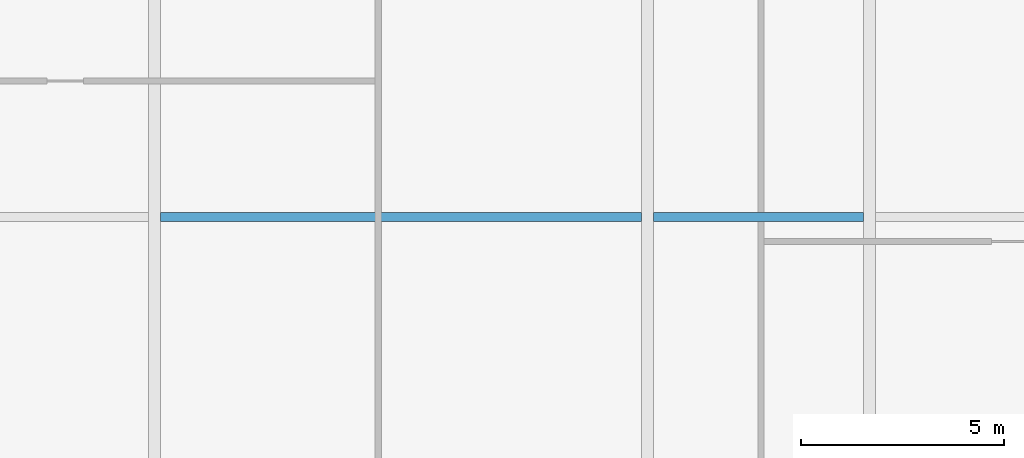
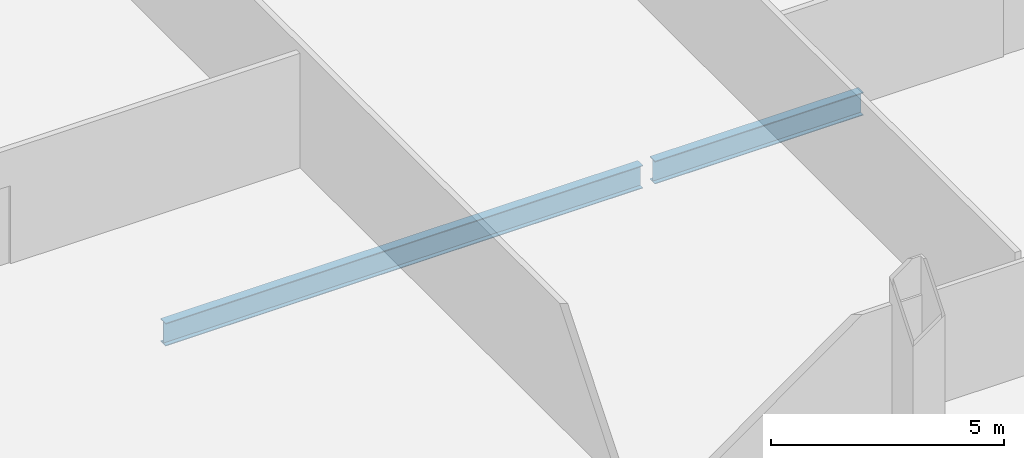
# One storey, part 13 of 35: 2 beams.
"""IFC4 building model written with IfcOpenShell, lengths in metres."""

from ifc_helpers import new_model, si_unit, direction, frame, origin, origin_2d, place, context, subcontext, project, spatial, i_section, extrude, material, material_profile, profile_set, type_object, element, save


model = new_model("IFC4")

# Units and contexts
model_context = context("Model", 3, precision=1e-05, world=origin(), true_north=direction((0.0, 1.0)))
body_context = subcontext(model_context, "Body", "Model", "MODEL_VIEW")
ifc_project = project(units=[si_unit("LENGTHUNIT", "METRE"), si_unit("AREAUNIT", "SQUARE_METRE"), si_unit("VOLUMEUNIT", "CUBIC_METRE"), si_unit("PLANEANGLEUNIT", "RADIAN"), si_unit("MASSUNIT", "GRAM", prefix="KILO")], contexts=[model_context])

# Site, building, storey
site_placement = place(None, origin())
site = spatial("IfcSite", under=ifc_project, at=site_placement, CompositionType="ELEMENT")
building_placement = place(site_placement, origin())
building = spatial("IfcBuilding", under=site, at=building_placement, Name="Khoronbel Lancet Exchange", CompositionType="ELEMENT")
storey_placement = place(building_placement, frame((0.0, 0.0, 37.800048828125)))
storey = spatial("IfcBuildingStorey", under=building, at=storey_placement, Name="L08", CompositionType="ELEMENT", Elevation=37.800048828125)

# Beams
ifc_material = material(Name="Steel S355", Category="steel")
ifc_material_profile = material_profile(ifc_material, i_section(OverallWidth=0.219970703125, OverallDepth=0.60009765625, WebThickness=0.011962890625, FlangeThickness=0.01904296875, at=origin_2d()), Name="IPE 600")
ifc_profile_set = profile_set([ifc_material_profile], Name="Steel S355")
beam_type = type_object("IfcBeamType", Name="BM-BJ1", PredefinedType="JOIST", material=ifc_profile_set)
beam_1_placement = place(storey_placement, frame((30.52490234375, 21.800048828125, -0.47998046875), z_axis=(1.0, 0.0, 0.0), x_axis=(0.0, 1.0, 0.0)))
element("IfcBeam", 1, at=beam_1_placement, inside=storey, type_object=beam_type, Name="Level L08 secondary composite joist J08", PredefinedType="JOIST", context=body_context, shape_type="SweptSolid", body=[
    extrude(i_section(OverallWidth=0.219970703125, OverallDepth=0.60009765625, WebThickness=0.011962890625, FlangeThickness=0.01904296875, at=origin_2d()), origin(), (0.0, 0.0, 1.0), 11.85009765625),
])
beam_2_placement = place(storey_placement, frame((42.675048828125, 21.800048828125, -0.47998046875), z_axis=(1.0, 0.0, 0.0), x_axis=(0.0, 1.0, 0.0)))
element("IfcBeam", 2, at=beam_2_placement, inside=storey, type_object=beam_type, Name="Level L08 secondary composite joist J09", PredefinedType="JOIST", context=body_context, shape_type="SweptSolid", body=[
    extrude(i_section(OverallWidth=0.219970703125, OverallDepth=0.60009765625, WebThickness=0.011962890625, FlangeThickness=0.01904296875, at=origin_2d()), origin(), (0.0, 0.0, 1.0), 5.175048828125),
])

save(model, "model.ifc")
